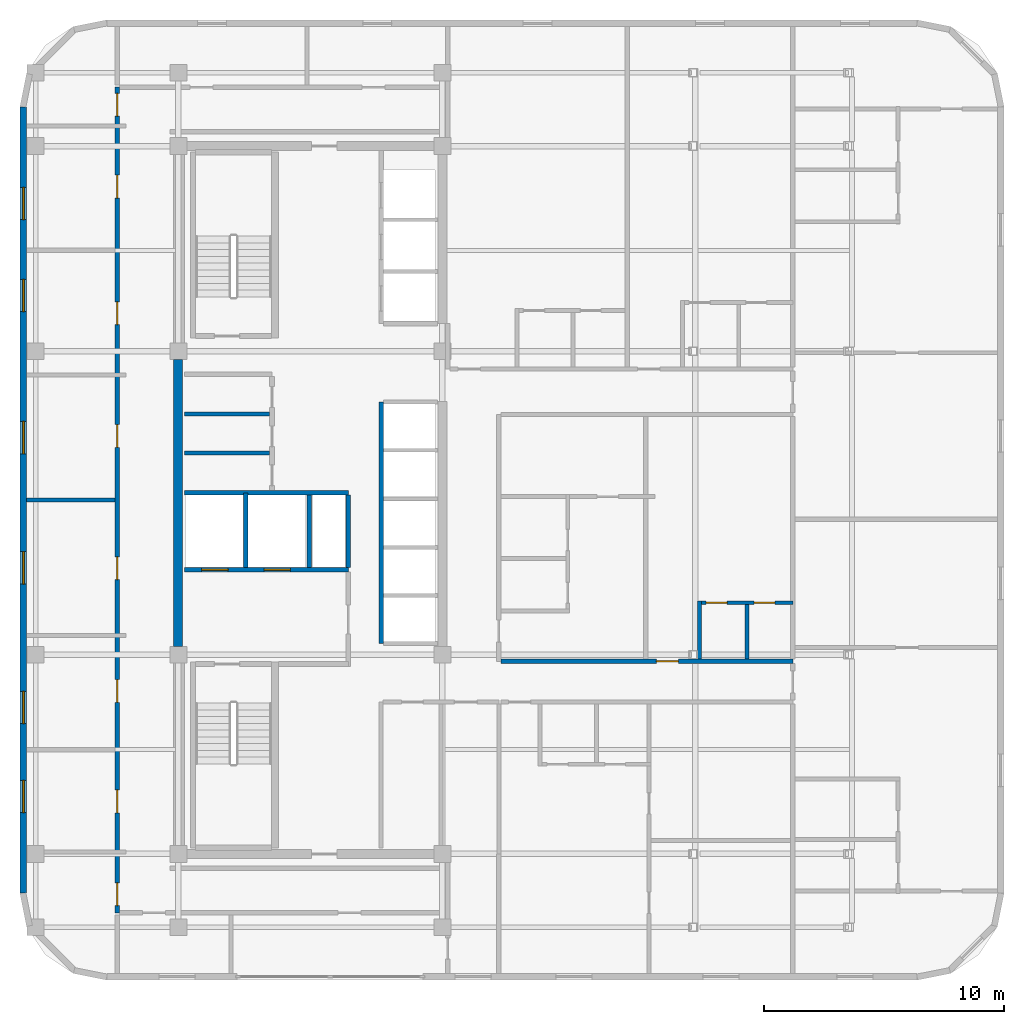
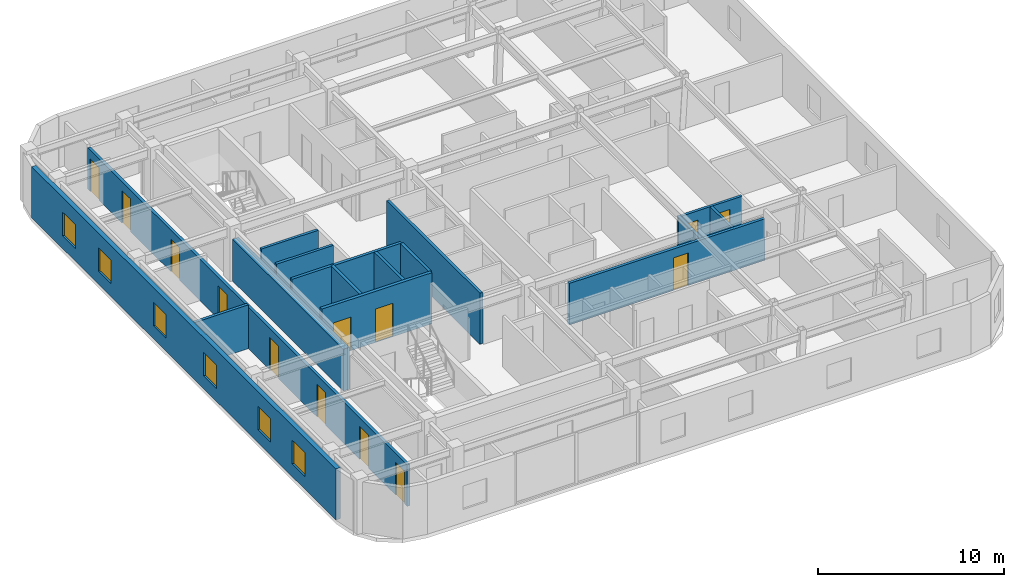
# One storey, part 5 of 9: 16 walls, 13 doors, 6 windows, 19 openings.
"""IFC4 building model written with IfcOpenShell, lengths in metres."""

from ifc_helpers import new_model, si_unit, direction, frame, frame_2d, origin, place, context, subcontext, project, spatial, rectangle, extrude, material, layer, layer_set, type_object, element, fill, save


model = new_model("IFC4")

# Units and contexts
model_context = context("Model", 3, precision=1e-05, world=origin(), true_north=direction((0.0, 1.0)))
body_context = subcontext(model_context, "Body", "Model", "MODEL_VIEW")
ifc_project = project(units=[si_unit("LENGTHUNIT", "METRE"), si_unit("AREAUNIT", "SQUARE_METRE"), si_unit("VOLUMEUNIT", "CUBIC_METRE"), si_unit("PLANEANGLEUNIT", "RADIAN"), si_unit("MASSUNIT", "GRAM", prefix="KILO")], contexts=[model_context])

# Site, building, storey
site_placement = place(None, origin())
site = spatial("IfcSite", under=ifc_project, at=site_placement, CompositionType="ELEMENT")
building_placement = place(site_placement, origin())
building = spatial("IfcBuilding", under=site, at=building_placement, Name="Ochreholt Gables", CompositionType="ELEMENT")
storey_placement = place(building_placement, frame((0.0, 0.0, 162.60009765625)))
storey = spatial("IfcBuildingStorey", under=building, at=storey_placement, Name="L42", CompositionType="ELEMENT", Elevation=162.60009765625)

# Wall
ifc_material_1 = material(Name="Concrete 50 MPa", Category="concrete")
ifc_layer_1 = layer(ifc_material_1, 0.3798828125, Name="Concrete 50 MPa")
ifc_layer_set_1 = layer_set([ifc_layer_1], Name="Concrete 50 MPa")
wall_type_1 = type_object("IfcWallType", Name="WALL-CSW-380", PredefinedType="SHEAR", material=ifc_layer_set_1)
wall_1_placement = place(storey_placement, frame((24.18994140625, 17.89990234375, 0.0), z_axis=(0.0, 0.0, 1.0), x_axis=(0.0, 1.0, 0.0)))
element("IfcWall", 1, at=wall_1_placement, inside=storey, type_object=wall_type_1, Name="L42 Core West Shear Wall WM", PredefinedType="SHEAR", context=body_context, shape_type="SweptSolid", body=[
    extrude(rectangle(XDim=11.9501953125, YDim=0.3798828125, at=frame_2d((5.97509765625, 0.0))), origin(), (0.0, 0.0, 1.0), 2.747802734375),
])

# Wall, openings, windows
ifc_material_2 = material(Name="Precast concrete 40 MPa", Category="concrete")
ifc_layer_2 = layer(ifc_material_2, 0.280029296875, Name="Precast concrete 40 MPa")
ifc_layer_set_2 = layer_set([ifc_layer_2], Name="Precast concrete 40 MPa")
wall_type_2 = type_object("IfcWallType", Name="WALL-EXT-280", PredefinedType="SOLIDWALL", material=ifc_layer_set_2)
wall_2_placement = place(storey_placement, frame((17.739990234375, 40.3798828125, 0.0), z_axis=(0.0, 0.0, 1.0), x_axis=(0.0, -1.0, 0.0)))
wall_2 = element("IfcWall", 2, at=wall_2_placement, inside=storey, type_object=wall_type_2, Name="L42 West Exterior Wall", PredefinedType="SOLIDWALL", context=body_context, shape_type="SweptSolid", body=[
    extrude(rectangle(XDim=32.759765625, YDim=0.280029296875, at=frame_2d((16.3798828125, 0.0))), origin(), (0.0, 0.0, 1.0), 3.35986328125),
])
opening_1_placement = place(wall_2_placement, frame((28.06005859375, 0.0, 0.85009765625)))
opening_1 = element("IfcOpeningElement", 3, at=opening_1_placement, cuts=wall_2, Name="Opening WN-8", PredefinedType="OPENING", context=body_context, shape_type="SweptSolid", body=[
    extrude(rectangle(XDim=1.35009765625, YDim=1.550048828125, at=frame_2d((0.675048828125, 0.77490234375))), frame((0.0, 0.14990234375, 0.0), z_axis=(0.0, -1.0, 0.0), x_axis=(1.0, 0.0, 0.0)), (0.0, 0.0, 1.0), 0.300048828125),
])
opening_2_placement = place(wall_2_placement, frame((24.35009765625, 0.0, 0.85009765625)))
opening_2 = element("IfcOpeningElement", 4, at=opening_2_placement, cuts=wall_2, Name="Opening WN-8", PredefinedType="OPENING", context=body_context, shape_type="SweptSolid", body=[
    extrude(rectangle(XDim=1.35009765625, YDim=1.550048828125, at=frame_2d((0.675048828125, 0.77490234375))), frame((0.0, 0.14990234375, 0.0), z_axis=(0.0, -1.0, 0.0), x_axis=(1.0, 0.0, 0.0)), (0.0, 0.0, 1.0), 0.300048828125),
])
opening_3_placement = place(wall_2_placement, frame((18.530029296875, 0.0, 0.85009765625)))
opening_3 = element("IfcOpeningElement", 5, at=opening_3_placement, cuts=wall_2, Name="Opening WN-8", PredefinedType="OPENING", context=body_context, shape_type="SweptSolid", body=[
    extrude(rectangle(XDim=1.35009765625, YDim=1.550048828125, at=frame_2d((0.675048828125, 0.77490234375))), frame((0.0, 0.14990234375, 0.0), z_axis=(0.0, -1.0, 0.0), x_axis=(1.0, 0.0, 0.0)), (0.0, 0.0, 1.0), 0.300048828125),
])
opening_4_placement = place(wall_2_placement, frame((13.10498046875, 0.0, 0.85009765625)))
opening_4 = element("IfcOpeningElement", 6, at=opening_4_placement, cuts=wall_2, Name="Opening WN-8", PredefinedType="OPENING", context=body_context, shape_type="SweptSolid", body=[
    extrude(rectangle(XDim=1.35009765625, YDim=1.550048828125, at=frame_2d((0.675048828125, 0.77490234375))), frame((0.0, 0.14990234375, 0.0), z_axis=(0.0, -1.0, 0.0), x_axis=(1.0, 0.0, 0.0)), (0.0, 0.0, 1.0), 0.300048828125),
])
opening_5_placement = place(wall_2_placement, frame((7.18505859375, 0.0, 0.85009765625)))
opening_5 = element("IfcOpeningElement", 7, at=opening_5_placement, cuts=wall_2, Name="Opening WN-8", PredefinedType="OPENING", context=body_context, shape_type="SweptSolid", body=[
    extrude(rectangle(XDim=1.35009765625, YDim=1.550048828125, at=frame_2d((0.675048828125, 0.77490234375))), frame((0.0, 0.14990234375, 0.0), z_axis=(0.0, -1.0, 0.0), x_axis=(1.0, 0.0, 0.0)), (0.0, 0.0, 1.0), 0.300048828125),
])
opening_6_placement = place(wall_2_placement, frame((3.35009765625, 0.0, 0.85009765625)))
opening_6 = element("IfcOpeningElement", 8, at=opening_6_placement, cuts=wall_2, Name="Opening WN-8", PredefinedType="OPENING", context=body_context, shape_type="SweptSolid", body=[
    extrude(rectangle(XDim=1.35009765625, YDim=1.550048828125, at=frame_2d((0.675048828125, 0.77490234375))), frame((0.0, 0.14990234375, 0.0), z_axis=(0.0, -1.0, 0.0), x_axis=(1.0, 0.0, 0.0)), (0.0, 0.0, 1.0), 0.300048828125),
])
ifc_material_3 = material(Name="Triple-Glazed Thermally Broken Aluminium Window", Category="aluminium")
window_type = type_object("IfcWindowType", Name="WIN-RES-1350", PartitioningType="SINGLE_PANEL", PredefinedType="WINDOW", material=ifc_material_3)
window_1_placement = place(opening_1_placement, origin())
window_1 = element("IfcWindow", 9, at=window_1_placement, inside=storey, type_object=window_type, Name="L42 Window W-EXT-W-L42-1", OverallHeight=1.550048828125, OverallWidth=1.35009765625, PartitioningType="SINGLE_PANEL", PredefinedType="WINDOW", context=body_context, shape_type="SweptSolid", body=[
    extrude(rectangle(XDim=1.35009765625, YDim=1.550048828125, at=frame_2d((0.675048828125, 0.77490234375))), frame((0.0, 0.030029296875, 0.0), z_axis=(0.0, -1.0, 0.0), x_axis=(1.0, 0.0, 0.0)), (0.0, 0.0, 1.0), 0.06005859375),
])
fill(opening_1, window_1)
window_2_placement = place(opening_2_placement, origin())
window_2 = element("IfcWindow", 10, at=window_2_placement, inside=storey, type_object=window_type, Name="L42 Window W-EXT-W-L42-2", OverallHeight=1.550048828125, OverallWidth=1.35009765625, PartitioningType="SINGLE_PANEL", PredefinedType="WINDOW", context=body_context, shape_type="SweptSolid", body=[
    extrude(rectangle(XDim=1.35009765625, YDim=1.550048828125, at=frame_2d((0.675048828125, 0.77490234375))), frame((0.0, 0.030029296875, 0.0), z_axis=(0.0, -1.0, 0.0), x_axis=(1.0, 0.0, 0.0)), (0.0, 0.0, 1.0), 0.06005859375),
])
fill(opening_2, window_2)
window_3_placement = place(opening_3_placement, origin())
window_3 = element("IfcWindow", 11, at=window_3_placement, inside=storey, type_object=window_type, Name="L42 Window W-EXT-W-L42-3", OverallHeight=1.550048828125, OverallWidth=1.35009765625, PartitioningType="SINGLE_PANEL", PredefinedType="WINDOW", context=body_context, shape_type="SweptSolid", body=[
    extrude(rectangle(XDim=1.35009765625, YDim=1.550048828125, at=frame_2d((0.675048828125, 0.77490234375))), frame((0.0, 0.030029296875, 0.0), z_axis=(0.0, -1.0, 0.0), x_axis=(1.0, 0.0, 0.0)), (0.0, 0.0, 1.0), 0.06005859375),
])
fill(opening_3, window_3)
window_4_placement = place(opening_4_placement, origin())
window_4 = element("IfcWindow", 12, at=window_4_placement, inside=storey, type_object=window_type, Name="L42 Window W-EXT-W-L42-4", OverallHeight=1.550048828125, OverallWidth=1.35009765625, PartitioningType="SINGLE_PANEL", PredefinedType="WINDOW", context=body_context, shape_type="SweptSolid", body=[
    extrude(rectangle(XDim=1.35009765625, YDim=1.550048828125, at=frame_2d((0.675048828125, 0.77490234375))), frame((0.0, 0.030029296875, 0.0), z_axis=(0.0, -1.0, 0.0), x_axis=(1.0, 0.0, 0.0)), (0.0, 0.0, 1.0), 0.06005859375),
])
fill(opening_4, window_4)
window_5_placement = place(opening_5_placement, origin())
window_5 = element("IfcWindow", 13, at=window_5_placement, inside=storey, type_object=window_type, Name="L42 Window W-EXT-W-L42-5", OverallHeight=1.550048828125, OverallWidth=1.35009765625, PartitioningType="SINGLE_PANEL", PredefinedType="WINDOW", context=body_context, shape_type="SweptSolid", body=[
    extrude(rectangle(XDim=1.35009765625, YDim=1.550048828125, at=frame_2d((0.675048828125, 0.77490234375))), frame((0.0, 0.030029296875, 0.0), z_axis=(0.0, -1.0, 0.0), x_axis=(1.0, 0.0, 0.0)), (0.0, 0.0, 1.0), 0.06005859375),
])
fill(opening_5, window_5)
window_6_placement = place(opening_6_placement, origin())
window_6 = element("IfcWindow", 14, at=window_6_placement, inside=storey, type_object=window_type, Name="L42 Window W-EXT-W-L42-6", OverallHeight=1.550048828125, OverallWidth=1.35009765625, PartitioningType="SINGLE_PANEL", PredefinedType="WINDOW", context=body_context, shape_type="SweptSolid", body=[
    extrude(rectangle(XDim=1.35009765625, YDim=1.550048828125, at=frame_2d((0.675048828125, 0.77490234375))), frame((0.0, 0.030029296875, 0.0), z_axis=(0.0, -1.0, 0.0), x_axis=(1.0, 0.0, 0.0)), (0.0, 0.0, 1.0), 0.06005859375),
])
fill(opening_6, window_6)

# Wall, openings, doors
ifc_material_4 = material(Name="Concrete 40 MPa", Category="concrete")
ifc_layer_3 = layer(ifc_material_4, 0.199951171875, Name="Concrete 40 MPa")
ifc_layer_set_3 = layer_set([ifc_layer_3], Name="Concrete 40 MPa")
wall_type_3 = type_object("IfcWallType", Name="WALL-INT-CF200", PredefinedType="STANDARD", material=ifc_layer_set_3)
wall_3_placement = place(storey_placement, frame((24.449951171875, 21.090087890625, 0.0), z_axis=(0.0, 0.0, 1.0), x_axis=(1.0, 0.0, 0.0)))
wall_3 = element("IfcWall", 15, at=wall_3_placement, inside=storey, type_object=wall_type_3, Name="L42 Interior Wall WI-FFN-L42", PredefinedType="STANDARD", context=body_context, shape_type="SweptSolid", body=[
    extrude(rectangle(XDim=6.830078125, YDim=0.199951171875, at=frame_2d((3.4150390625, 0.0))), origin(), (0.0, 0.0, 1.0), 3.35986328125),
])
opening_7_placement = place(wall_3_placement, frame((0.719970703125, 0.0, 0.0)))
opening_7 = element("IfcOpeningElement", 16, at=opening_7_placement, cuts=wall_3, Name="Opening LD-FF", PredefinedType="OPENING", context=body_context, shape_type="SweptSolid", body=[
    extrude(rectangle(XDim=1.10009765625, YDim=2.199951171875, at=frame_2d((0.550048828125, 1.10009765625))), frame((0.0, 0.10986328125, 0.0), z_axis=(0.0, -1.0, 0.0), x_axis=(1.0, 0.0, 0.0)), (0.0, 0.0, 1.0), 0.219970703125),
])
opening_8_placement = place(wall_3_placement, frame((3.320068359375, 0.0, 0.0)))
opening_8 = element("IfcOpeningElement", 17, at=opening_8_placement, cuts=wall_3, Name="Opening LD-FF", PredefinedType="OPENING", context=body_context, shape_type="SweptSolid", body=[
    extrude(rectangle(XDim=1.10009765625, YDim=2.199951171875, at=frame_2d((0.550048828125, 1.10009765625))), frame((0.0, 0.10986328125, 0.0), z_axis=(0.0, -1.0, 0.0), x_axis=(1.0, 0.0, 0.0)), (0.0, 0.0, 1.0), 0.219970703125),
])
ifc_material_5 = material(Name="Stainless Steel", Category="steel")
door_type_1 = type_object("IfcDoorType", Name="DR-LFT-FF1100", OperationType="NOTDEFINED", PredefinedType="DOOR", material=ifc_material_5)
door_1_placement = place(opening_7_placement, origin())
door_1 = element("IfcDoor", 18, at=door_1_placement, inside=storey, type_object=door_type_1, Name="L42 Door LD-FF1-L42", OperationType="SLIDING_TO_LEFT", OverallHeight=2.199951171875, OverallWidth=1.10009765625, PredefinedType="DOOR", context=body_context, shape_type="SweptSolid", body=[
    extrude(rectangle(XDim=1.10009765625, YDim=2.199951171875, at=frame_2d((0.550048828125, 1.10009765625))), frame((0.0, 0.02490234375, 0.0), z_axis=(0.0, -1.0, 0.0), x_axis=(1.0, 0.0, 0.0)), (0.0, 0.0, 1.0), 0.050048828125),
])
fill(opening_7, door_1)
door_2_placement = place(opening_8_placement, origin())
door_2 = element("IfcDoor", 19, at=door_2_placement, inside=storey, type_object=door_type_1, Name="L42 Door LD-FF2-L42", OperationType="SLIDING_TO_LEFT", OverallHeight=2.199951171875, OverallWidth=1.10009765625, PredefinedType="DOOR", context=body_context, shape_type="SweptSolid", body=[
    extrude(rectangle(XDim=1.10009765625, YDim=2.199951171875, at=frame_2d((0.550048828125, 1.10009765625))), frame((0.0, 0.02490234375, 0.0), z_axis=(0.0, -1.0, 0.0), x_axis=(1.0, 0.0, 0.0)), (0.0, 0.0, 1.0), 0.050048828125),
])
fill(opening_8, door_2)

# Wall, opening, door
ifc_material_6 = material(Name="Fire-Rated Gypsum Acoustic Partition", Category="gypsum")
ifc_layer_4 = layer(ifc_material_6, 0.179931640625, Name="Fire-Rated Gypsum Acoustic Partition")
ifc_layer_set_4 = layer_set([ifc_layer_4], Name="Fire-Rated Gypsum Acoustic Partition")
wall_type_4 = type_object("IfcWallType", Name="WALL-INT-CR180", PredefinedType="STANDARD", material=ifc_layer_set_4)
wall_4_placement = place(storey_placement, frame((37.639892578125, 17.280029296875, 0.0), z_axis=(0.0, 0.0, 1.0), x_axis=(1.0, 0.0, 0.0)))
wall_4 = element("IfcWall", 20, at=wall_4_placement, inside=storey, type_object=wall_type_4, Name="L42 Interior Wall WI-C2SS2-L42", PredefinedType="STANDARD", context=body_context, shape_type="SweptSolid", body=[
    extrude(rectangle(XDim=12.16015625, YDim=0.179931640625, at=frame_2d((6.080078125, 0.0))), origin(), (0.0, 0.0, 1.0), 2.72998046875),
])
opening_9_placement = place(wall_4_placement, frame((6.47509765625, 0.0, 0.0)))
opening_9 = element("IfcOpeningElement", 21, at=opening_9_placement, cuts=wall_4, Name="Opening D-UN1", PredefinedType="OPENING", context=body_context, shape_type="SweptSolid", body=[
    extrude(rectangle(XDim=0.919921875, YDim=2.14990234375, at=frame_2d((0.4599609375, 1.074951171875))), frame((0.0, 0.099853515625, 0.0), z_axis=(0.0, -1.0, 0.0), x_axis=(1.0, 0.0, 0.0)), (0.0, 0.0, 1.0), 0.199951171875),
])
ifc_material_7 = material(Name="Engineered Oak Timber", Category="wood")
door_type_2 = type_object("IfcDoorType", Name="DR-INT-UNT920", OperationType="NOTDEFINED", PredefinedType="DOOR", material=ifc_material_7)
door_3_placement = place(opening_9_placement, origin())
door_3 = element("IfcDoor", 22, at=door_3_placement, inside=storey, type_object=door_type_2, Name="L42 Door D-U-L42M2-ENT", OperationType="SINGLE_SWING_RIGHT", OverallHeight=2.14990234375, OverallWidth=0.919921875, PredefinedType="DOOR", context=body_context, shape_type="SweptSolid", body=[
    extrude(rectangle(XDim=0.919921875, YDim=2.14990234375, at=frame_2d((0.4599609375, 1.074951171875))), frame((0.0, 0.02490234375, 0.0), z_axis=(0.0, -1.0, 0.0), x_axis=(1.0, 0.0, 0.0)), (0.0, 0.0, 1.0), 0.050048828125),
])
fill(opening_9, door_3)

# Wall, openings, doors
wall_5_placement = place(storey_placement, frame((21.64990234375, 6.800048828125, 0.0), z_axis=(0.0, 0.0, 1.0), x_axis=(0.0, 1.0, 0.0)))
wall_5 = element("IfcWall", 23, at=wall_5_placement, inside=storey, type_object=wall_type_4, Name="L42 Interior Wall WI-C2WCW-L42", PredefinedType="STANDARD", context=body_context, shape_type="SweptSolid", body=[
    extrude(rectangle(XDim=34.39990234375, YDim=0.179931640625, at=frame_2d((17.199951171875, 0.0))), origin(), (0.0, 0.0, 1.0), 2.72998046875),
])
opening_10_placement = place(wall_5_placement, frame((0.300048828125, 0.0, 0.0)))
opening_10 = element("IfcOpeningElement", 24, at=opening_10_placement, cuts=wall_5, Name="Opening D-GN1", PredefinedType="OPENING", context=body_context, shape_type="SweptSolid", body=[
    extrude(rectangle(XDim=0.949951171875, YDim=2.14990234375, at=frame_2d((0.47509765625, 1.074951171875))), frame((0.0, 0.099853515625, 0.0), z_axis=(0.0, -1.0, 0.0), x_axis=(1.0, 0.0, 0.0)), (0.0, 0.0, 1.0), 0.199951171875),
])
opening_11_placement = place(wall_5_placement, frame((4.16748046875, 0.0, 0.0)))
opening_11 = element("IfcOpeningElement", 25, at=opening_11_placement, cuts=wall_5, Name="Opening D-GN1", PredefinedType="OPENING", context=body_context, shape_type="SweptSolid", body=[
    extrude(rectangle(XDim=0.949951171875, YDim=2.14990234375, at=frame_2d((0.47509765625, 1.074951171875))), frame((0.0, 0.099853515625, 0.0), z_axis=(0.0, -1.0, 0.0), x_axis=(1.0, 0.0, 0.0)), (0.0, 0.0, 1.0), 0.199951171875),
])
opening_12_placement = place(wall_5_placement, frame((8.77001953125, 0.0, 0.0)))
opening_12 = element("IfcOpeningElement", 26, at=opening_12_placement, cuts=wall_5, Name="Opening D-GN1", PredefinedType="OPENING", context=body_context, shape_type="SweptSolid", body=[
    extrude(rectangle(XDim=0.949951171875, YDim=2.14990234375, at=frame_2d((0.47509765625, 1.074951171875))), frame((0.0, 0.099853515625, 0.0), z_axis=(0.0, -1.0, 0.0), x_axis=(1.0, 0.0, 0.0)), (0.0, 0.0, 1.0), 0.199951171875),
])
opening_13_placement = place(wall_5_placement, frame((13.8798828125, 0.0, 0.0)))
opening_13 = element("IfcOpeningElement", 27, at=opening_13_placement, cuts=wall_5, Name="Opening D-GN1", PredefinedType="OPENING", context=body_context, shape_type="SweptSolid", body=[
    extrude(rectangle(XDim=0.949951171875, YDim=2.14990234375, at=frame_2d((0.47509765625, 1.074951171875))), frame((0.0, 0.099853515625, 0.0), z_axis=(0.0, -1.0, 0.0), x_axis=(1.0, 0.0, 0.0)), (0.0, 0.0, 1.0), 0.199951171875),
])
opening_14_placement = place(wall_5_placement, frame((19.39501953125, 0.0, 0.0)))
opening_14 = element("IfcOpeningElement", 28, at=opening_14_placement, cuts=wall_5, Name="Opening D-GN1", PredefinedType="OPENING", context=body_context, shape_type="SweptSolid", body=[
    extrude(rectangle(XDim=0.949951171875, YDim=2.14990234375, at=frame_2d((0.47509765625, 1.074951171875))), frame((0.0, 0.099853515625, 0.0), z_axis=(0.0, -1.0, 0.0), x_axis=(1.0, 0.0, 0.0)), (0.0, 0.0, 1.0), 0.199951171875),
])
opening_15_placement = place(wall_5_placement, frame((24.5048828125, 0.0, 0.0)))
opening_15 = element("IfcOpeningElement", 29, at=opening_15_placement, cuts=wall_5, Name="Opening D-GN1", PredefinedType="OPENING", context=body_context, shape_type="SweptSolid", body=[
    extrude(rectangle(XDim=0.949951171875, YDim=2.14990234375, at=frame_2d((0.47509765625, 1.074951171875))), frame((0.0, 0.099853515625, 0.0), z_axis=(0.0, -1.0, 0.0), x_axis=(1.0, 0.0, 0.0)), (0.0, 0.0, 1.0), 0.199951171875),
])
opening_16_placement = place(wall_5_placement, frame((29.782470703125, 0.0, 0.0)))
opening_16 = element("IfcOpeningElement", 30, at=opening_16_placement, cuts=wall_5, Name="Opening D-GN1", PredefinedType="OPENING", context=body_context, shape_type="SweptSolid", body=[
    extrude(rectangle(XDim=0.949951171875, YDim=2.14990234375, at=frame_2d((0.47509765625, 1.074951171875))), frame((0.0, 0.099853515625, 0.0), z_axis=(0.0, -1.0, 0.0), x_axis=(1.0, 0.0, 0.0)), (0.0, 0.0, 1.0), 0.199951171875),
])
opening_17_placement = place(wall_5_placement, frame((33.18994140625, 0.0, 0.0)))
opening_17 = element("IfcOpeningElement", 31, at=opening_17_placement, cuts=wall_5, Name="Opening D-GN1", PredefinedType="OPENING", context=body_context, shape_type="SweptSolid", body=[
    extrude(rectangle(XDim=0.949951171875, YDim=2.14990234375, at=frame_2d((0.47509765625, 1.074951171875))), frame((0.0, 0.099853515625, 0.0), z_axis=(0.0, -1.0, 0.0), x_axis=(1.0, 0.0, 0.0)), (0.0, 0.0, 1.0), 0.199951171875),
])
door_type_3 = type_object("IfcDoorType", Name="DR-INT-GEN950", OperationType="NOTDEFINED", PredefinedType="DOOR", material=ifc_material_7)
door_4_placement = place(opening_10_placement, origin())
door_4 = element("IfcDoor", 32, at=door_4_placement, inside=storey, type_object=door_type_3, Name="L42 Door D-U-L42W1A-ENT", OperationType="SINGLE_SWING_LEFT", OverallHeight=2.14990234375, OverallWidth=0.949951171875, PredefinedType="DOOR", context=body_context, shape_type="SweptSolid", body=[
    extrude(rectangle(XDim=0.949951171875, YDim=2.14990234375, at=frame_2d((0.47509765625, 1.074951171875))), frame((0.0, 0.02490234375, 0.0), z_axis=(0.0, -1.0, 0.0), x_axis=(1.0, 0.0, 0.0)), (0.0, 0.0, 1.0), 0.050048828125),
])
fill(opening_10, door_4)
door_5_placement = place(opening_11_placement, origin())
door_5 = element("IfcDoor", 33, at=door_5_placement, inside=storey, type_object=door_type_3, Name="L42 Door D-U-L42W1B-ENT", OperationType="SINGLE_SWING_RIGHT", OverallHeight=2.14990234375, OverallWidth=0.949951171875, PredefinedType="DOOR", context=body_context, shape_type="SweptSolid", body=[
    extrude(rectangle(XDim=0.949951171875, YDim=2.14990234375, at=frame_2d((0.47509765625, 1.074951171875))), frame((0.0, 0.02490234375, 0.0), z_axis=(0.0, -1.0, 0.0), x_axis=(1.0, 0.0, 0.0)), (0.0, 0.0, 1.0), 0.050048828125),
])
fill(opening_11, door_5)
door_6_placement = place(opening_12_placement, origin())
door_6 = element("IfcDoor", 34, at=door_6_placement, inside=storey, type_object=door_type_3, Name="L42 Door D-U-L42W2A-ENT", OperationType="SINGLE_SWING_RIGHT", OverallHeight=2.14990234375, OverallWidth=0.949951171875, PredefinedType="DOOR", context=body_context, shape_type="SweptSolid", body=[
    extrude(rectangle(XDim=0.949951171875, YDim=2.14990234375, at=frame_2d((0.47509765625, 1.074951171875))), frame((0.0, 0.02490234375, 0.0), z_axis=(0.0, -1.0, 0.0), x_axis=(1.0, 0.0, 0.0)), (0.0, 0.0, 1.0), 0.050048828125),
])
fill(opening_12, door_6)
door_7_placement = place(opening_13_placement, origin())
door_7 = element("IfcDoor", 35, at=door_7_placement, inside=storey, type_object=door_type_3, Name="L42 Door D-U-L42W2B-ENT", OperationType="SINGLE_SWING_LEFT", OverallHeight=2.14990234375, OverallWidth=0.949951171875, PredefinedType="DOOR", context=body_context, shape_type="SweptSolid", body=[
    extrude(rectangle(XDim=0.949951171875, YDim=2.14990234375, at=frame_2d((0.47509765625, 1.074951171875))), frame((0.0, 0.02490234375, 0.0), z_axis=(0.0, -1.0, 0.0), x_axis=(1.0, 0.0, 0.0)), (0.0, 0.0, 1.0), 0.050048828125),
])
fill(opening_13, door_7)
door_8_placement = place(opening_14_placement, origin())
door_8 = element("IfcDoor", 36, at=door_8_placement, inside=storey, type_object=door_type_3, Name="L42 Door D-U-L42W3A-ENT", OperationType="SINGLE_SWING_LEFT", OverallHeight=2.14990234375, OverallWidth=0.949951171875, PredefinedType="DOOR", context=body_context, shape_type="SweptSolid", body=[
    extrude(rectangle(XDim=0.949951171875, YDim=2.14990234375, at=frame_2d((0.47509765625, 1.074951171875))), frame((0.0, 0.02490234375, 0.0), z_axis=(0.0, -1.0, 0.0), x_axis=(1.0, 0.0, 0.0)), (0.0, 0.0, 1.0), 0.050048828125),
])
fill(opening_14, door_8)
door_9_placement = place(opening_15_placement, origin())
door_9 = element("IfcDoor", 37, at=door_9_placement, inside=storey, type_object=door_type_3, Name="L42 Door D-U-L42W3B-ENT", OperationType="SINGLE_SWING_RIGHT", OverallHeight=2.14990234375, OverallWidth=0.949951171875, PredefinedType="DOOR", context=body_context, shape_type="SweptSolid", body=[
    extrude(rectangle(XDim=0.949951171875, YDim=2.14990234375, at=frame_2d((0.47509765625, 1.074951171875))), frame((0.0, 0.02490234375, 0.0), z_axis=(0.0, -1.0, 0.0), x_axis=(1.0, 0.0, 0.0)), (0.0, 0.0, 1.0), 0.050048828125),
])
fill(opening_15, door_9)
door_10_placement = place(opening_16_placement, origin())
door_10 = element("IfcDoor", 38, at=door_10_placement, inside=storey, type_object=door_type_3, Name="L42 Door D-U-L42W4A-ENT", OperationType="SINGLE_SWING_RIGHT", OverallHeight=2.14990234375, OverallWidth=0.949951171875, PredefinedType="DOOR", context=body_context, shape_type="SweptSolid", body=[
    extrude(rectangle(XDim=0.949951171875, YDim=2.14990234375, at=frame_2d((0.47509765625, 1.074951171875))), frame((0.0, 0.02490234375, 0.0), z_axis=(0.0, -1.0, 0.0), x_axis=(1.0, 0.0, 0.0)), (0.0, 0.0, 1.0), 0.050048828125),
])
fill(opening_16, door_10)
door_11_placement = place(opening_17_placement, origin())
door_11 = element("IfcDoor", 39, at=door_11_placement, inside=storey, type_object=door_type_3, Name="L42 Door D-U-L42W4B-ENT", OperationType="SINGLE_SWING_LEFT", OverallHeight=2.14990234375, OverallWidth=0.949951171875, PredefinedType="DOOR", context=body_context, shape_type="SweptSolid", body=[
    extrude(rectangle(XDim=0.949951171875, YDim=2.14990234375, at=frame_2d((0.47509765625, 1.074951171875))), frame((0.0, 0.02490234375, 0.0), z_axis=(0.0, -1.0, 0.0), x_axis=(1.0, 0.0, 0.0)), (0.0, 0.0, 1.0), 0.050048828125),
])
fill(opening_17, door_11)

# Wall
ifc_material_8 = material(Name="Double-Stud Acoustic Demising Wall", Category="gypsum")
ifc_layer_5 = layer(ifc_material_8, 0.179931640625, Name="Double-Stud Acoustic Demising Wall")
ifc_layer_set_5 = layer_set([ifc_layer_5], Name="Double-Stud Acoustic Demising Wall")
wall_type_5 = type_object("IfcWallType", Name="WALL-INT-DM180", PredefinedType="PARTITIONING", material=ifc_layer_set_5)
wall_6_placement = place(storey_placement, frame((17.8798828125, 24.0, 0.0), z_axis=(0.0, 0.0, 1.0), x_axis=(1.0, 0.0, 0.0)))
element("IfcWall", 40, at=wall_6_placement, inside=storey, type_object=wall_type_5, Name="L42 Interior Wall WI-C2UDW3-L42", PredefinedType="PARTITIONING", context=body_context, shape_type="SweptSolid", body=[
    extrude(rectangle(XDim=3.68017578125, YDim=0.179931640625, at=frame_2d((1.840087890625, 0.0))), origin(), (0.0, 0.0, 1.0), 2.87890625),
])

# Wall, openings, doors
ifc_material_9 = material(Name="Moisture-Resistant Plumbing Chase Wall", Category="gypsum")
ifc_layer_6 = layer(ifc_material_9, 0.159912109375, Name="Moisture-Resistant Plumbing Chase Wall")
ifc_layer_set_6 = layer_set([ifc_layer_6], Name="Moisture-Resistant Plumbing Chase Wall")
wall_type_6 = type_object("IfcWallType", Name="WALL-INT-PL160", PredefinedType="PLUMBINGWALL", material=ifc_layer_set_6)
wall_7_placement = place(storey_placement, frame((45.8349609375, 19.719970703125, 0.0), z_axis=(0.0, 0.0, 1.0), x_axis=(1.0, 0.0, 0.0)))
wall_7 = element("IfcWall", 41, at=wall_7_placement, inside=storey, type_object=wall_type_6, Name="L42 Interior Wall WU-L42M2-WY", PredefinedType="PLUMBINGWALL", context=body_context, shape_type="SweptSolid", body=[
    extrude(rectangle(XDim=3.965087890625, YDim=0.159912109375, at=frame_2d((1.982421875, 0.0))), origin(), (0.0, 0.0, 1.0), 2.72998046875),
])
opening_18_placement = place(wall_7_placement, frame((0.35009765625, 0.0, 0.0)))
opening_18 = element("IfcOpeningElement", 42, at=opening_18_placement, cuts=wall_7, Name="Opening D-GN2", PredefinedType="OPENING", context=body_context, shape_type="SweptSolid", body=[
    extrude(rectangle(XDim=0.8798828125, YDim=2.1201171875, at=frame_2d((0.43994140625, 1.06005859375))), frame((0.0, 0.08984375, 0.0), z_axis=(0.0, -1.0, 0.0), x_axis=(1.0, 0.0, 0.0)), (0.0, 0.0, 1.0), 0.179931640625),
])
opening_19_placement = place(wall_7_placement, frame((2.353515625, 0.0, 0.0)))
opening_19 = element("IfcOpeningElement", 43, at=opening_19_placement, cuts=wall_7, Name="Opening D-BT1", PredefinedType="OPENING", context=body_context, shape_type="SweptSolid", body=[
    extrude(rectangle(XDim=0.860107421875, YDim=2.1201171875, at=frame_2d((0.43017578125, 1.06005859375))), frame((0.0, 0.08984375, 0.0), z_axis=(0.0, -1.0, 0.0), x_axis=(1.0, 0.0, 0.0)), (0.0, 0.0, 1.0), 0.179931640625),
])
door_type_4 = type_object("IfcDoorType", Name="DR-INT-BTH860", OperationType="NOTDEFINED", PredefinedType="DOOR", material=ifc_material_7)
door_12_placement = place(opening_19_placement, origin())
door_12 = element("IfcDoor", 44, at=door_12_placement, inside=storey, type_object=door_type_4, Name="L42 Door D-U-L42M2-BTH", OperationType="SINGLE_SWING_RIGHT", OverallHeight=2.1201171875, OverallWidth=0.860107421875, PredefinedType="DOOR", context=body_context, shape_type="SweptSolid", body=[
    extrude(rectangle(XDim=0.860107421875, YDim=2.1201171875, at=frame_2d((0.43017578125, 1.06005859375))), frame((0.0, 0.02490234375, 0.0), z_axis=(0.0, -1.0, 0.0), x_axis=(1.0, 0.0, 0.0)), (0.0, 0.0, 1.0), 0.050048828125),
])
fill(opening_19, door_12)
door_type_5 = type_object("IfcDoorType", Name="DR-INT-GEN880", OperationType="NOTDEFINED", PredefinedType="DOOR", material=ifc_material_7)
door_13_placement = place(opening_18_placement, origin())
door_13 = element("IfcDoor", 45, at=door_13_placement, inside=storey, type_object=door_type_5, Name="L42 Door D-U-L42M2-KIT", OperationType="SINGLE_SWING_LEFT", OverallHeight=2.1201171875, OverallWidth=0.8798828125, PredefinedType="DOOR", context=body_context, shape_type="SweptSolid", body=[
    extrude(rectangle(XDim=0.8798828125, YDim=2.1201171875, at=frame_2d((0.43994140625, 1.06005859375))), frame((0.0, 0.02490234375, 0.0), z_axis=(0.0, -1.0, 0.0), x_axis=(1.0, 0.0, 0.0)), (0.0, 0.0, 1.0), 0.050048828125),
])
fill(opening_18, door_13)

# Walls
wall_8_placement = place(storey_placement, frame((45.9150390625, 17.3701171875, 0.0), z_axis=(0.0, 0.0, 1.0), x_axis=(0.0, 1.0, 0.0)))
element("IfcWall", 46, at=wall_8_placement, inside=storey, type_object=wall_type_6, Name="L42 Interior Wall WU-L42M2-FY", PredefinedType="PLUMBINGWALL", context=body_context, shape_type="SweptSolid", body=[
    extrude(rectangle(XDim=2.429931640625, YDim=0.159912109375, at=frame_2d((1.21484375, 0.0))), origin(), (0.0, 0.0, 1.0), 2.72998046875),
])
wall_9_placement = place(storey_placement, frame((47.888427734375, 17.3701171875, 0.0), z_axis=(0.0, 0.0, 1.0), x_axis=(0.0, 1.0, 0.0)))
element("IfcWall", 47, at=wall_9_placement, inside=storey, type_object=wall_type_6, Name="L42 Interior Wall WU-L42M2-WK", PredefinedType="PLUMBINGWALL", context=body_context, shape_type="SweptSolid", body=[
    extrude(rectangle(XDim=2.269775390625, YDim=0.159912109375, at=frame_2d((1.134765625, 0.0))), origin(), (0.0, 0.0, 1.0), 2.72998046875),
])
ifc_material_10 = material(Name="Gypsum Acoustic Stud Partition", Category="gypsum")
ifc_layer_7 = layer(ifc_material_10, 0.1650390625, Name="Gypsum Acoustic Stud Partition")
ifc_layer_set_7 = layer_set([ifc_layer_7], Name="Gypsum Acoustic Stud Partition")
wall_type_7 = type_object("IfcWallType", Name="WALL-INT-PT165", PredefinedType="PARTITIONING", material=ifc_layer_set_7)
for number, where, z_axis, x_axis, name in (
    (48, (24.449951171875, 25.949951171875, 0.0), (0.0, 0.0, 1.0), (1.0, 0.0, 0.0), "L42 Interior Wall WI-SRVP1-L42"),
    (49, (24.449951171875, 27.580078125, 0.0), (0.0, 0.0, 1.0), (1.0, 0.0, 0.0), "L42 Interior Wall WI-SRVP2-L42"),
):
    element("IfcWall", number, at=place(storey_placement, frame(where, z_axis=z_axis, x_axis=x_axis)), inside=storey, type_object=wall_type_7, Name=name, PredefinedType="PARTITIONING", context=body_context, shape_type="SweptSolid", body=[
        extrude(rectangle(XDim=3.550048828125, YDim=0.1650390625, at=frame_2d((1.77490234375, 0.0))), origin(), (0.0, 0.0, 1.0), 3.35986328125),
    ])
ifc_material_11 = material(Name="Gypsum Shaftliner and Steel Stud", Category="steel")
ifc_layer_8 = layer(ifc_material_11, 0.179931640625, Name="Gypsum Shaftliner and Steel Stud")
ifc_layer_set_8 = layer_set([ifc_layer_8], Name="Gypsum Shaftliner and Steel Stud")
wall_type_8 = type_object("IfcWallType", Name="WALL-INT-SH180", PredefinedType="STANDARD", material=ifc_layer_set_8)
wall_10_placement = place(storey_placement, frame((27.0, 21.18994140625, 0.0), z_axis=(0.0, 0.0, 1.0), x_axis=(0.0, 1.0, 0.0)))
element("IfcWall", 50, at=wall_10_placement, inside=storey, type_object=wall_type_8, Name="L42 Interior Wall WI-FFDIV-L42", PredefinedType="STANDARD", context=body_context, shape_type="SweptSolid", body=[
    extrude(rectangle(XDim=3.110107421875, YDim=0.179931640625, at=frame_2d((1.55517578125, 0.0))), origin(), (0.0, 0.0, 1.0), 3.35986328125),
])
wall_11_placement = place(storey_placement, frame((24.449951171875, 24.300048828125, 0.0), z_axis=(0.0, 0.0, 1.0), x_axis=(1.0, 0.0, 0.0)))
element("IfcWall", 51, at=wall_11_placement, inside=storey, type_object=wall_type_8, Name="L42 Interior Wall WI-FFBK-L42", PredefinedType="STANDARD", context=body_context, shape_type="SweptSolid", body=[
    extrude(rectangle(XDim=6.830078125, YDim=0.179931640625, at=frame_2d((3.4150390625, 0.0))), origin(), (0.0, 0.0, 1.0), 3.35986328125),
])
for number, where, z_axis, x_axis, name in (
    (52, (29.64990234375, 21.18994140625, 0.0), (0.0, 0.0, 1.0), (0.0, 1.0, 0.0), "L42 Interior Wall WI-FFSH-L42"),
    (53, (31.280029296875, 21.18994140625, 0.0), (0.0, 0.0, 1.0), (0.0, 1.0, 0.0), "L42 Interior Wall WI-RSE-L42"),
):
    element("IfcWall", number, at=place(storey_placement, frame(where, z_axis=z_axis, x_axis=x_axis)), inside=storey, type_object=wall_type_8, Name=name, PredefinedType="STANDARD", context=body_context, shape_type="SweptSolid", body=[
        extrude(rectangle(XDim=3.02001953125, YDim=0.179931640625, at=frame_2d((1.510009765625, 0.0))), origin(), (0.0, 0.0, 1.0), 3.35986328125),
    ])
wall_12_placement = place(storey_placement, frame((32.64990234375, 18.02001953125, 0.0), z_axis=(0.0, 0.0, 1.0), x_axis=(0.0, 1.0, 0.0)))
element("IfcWall", 54, at=wall_12_placement, inside=storey, type_object=wall_type_8, Name="L42 Interior Wall WI-LFHE-FR-L42", PredefinedType="STANDARD", context=body_context, shape_type="SweptSolid", body=[
    extrude(rectangle(XDim=10.06005859375, YDim=0.179931640625, at=frame_2d((5.030029296875, 0.0))), origin(), (0.0, 0.0, 1.0), 3.35986328125),
])

save(model, "model.ifc")
